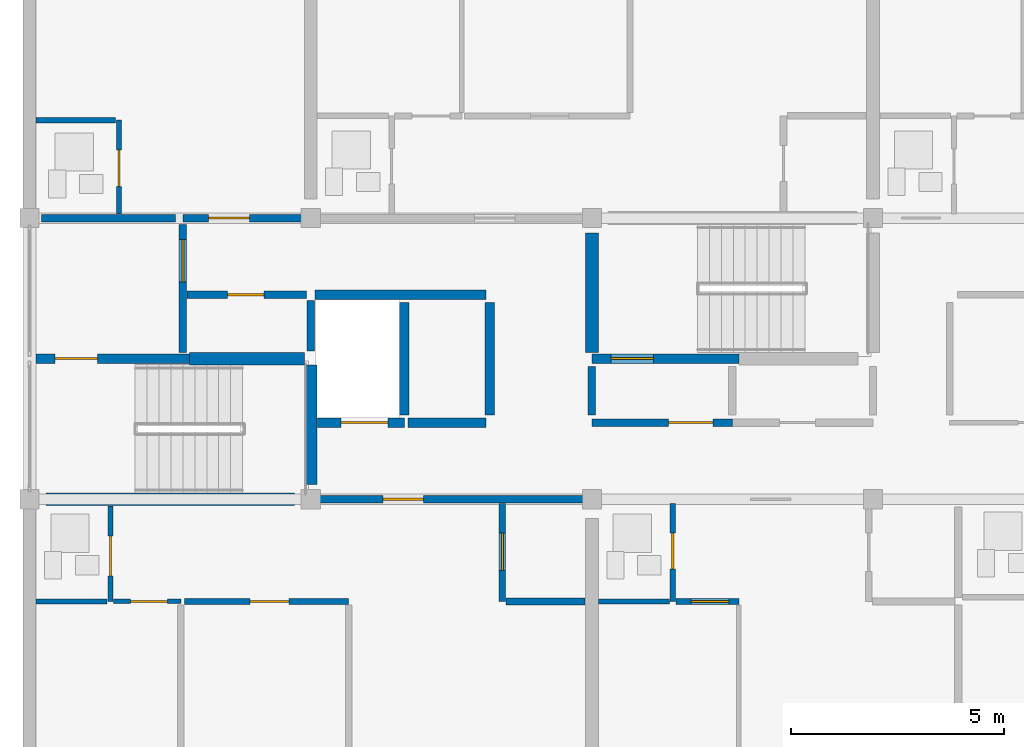
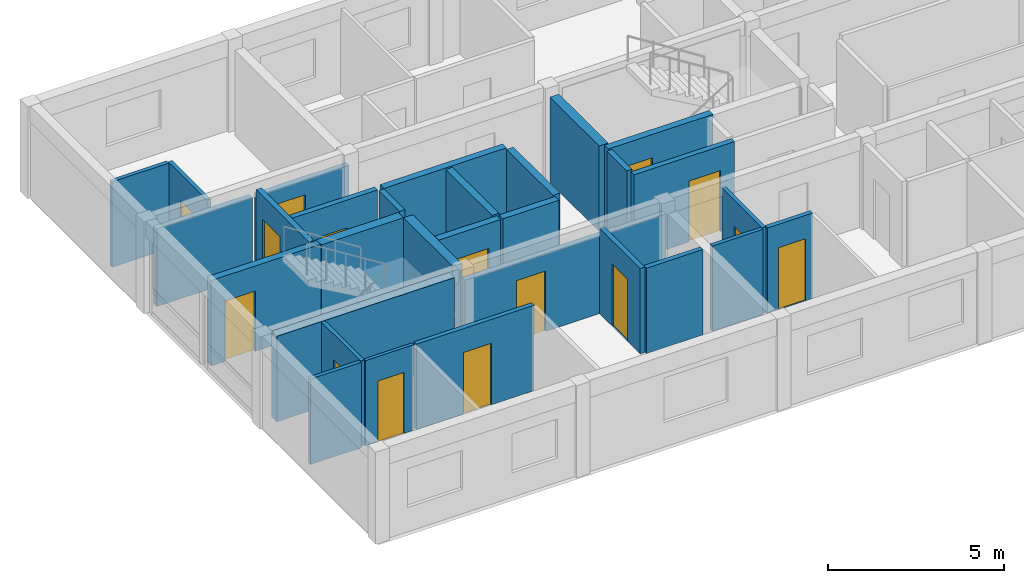
# One storey, part 20 of 34: 30 walls, 15 doors, 15 openings.
"""IFC4 building model written with IfcOpenShell, lengths in metres."""

from ifc_helpers import new_model, si_unit, direction, frame, frame_2d, origin, place, context, subcontext, project, spatial, rectangle, extrude, material, layer, layer_set, type_object, element, fill, save


model = new_model("IFC4")

# Units and contexts
model_context = context("Model", 3, precision=1e-05, world=origin(), true_north=direction((0.0, 1.0)))
body_context = subcontext(model_context, "Body", "Model", "MODEL_VIEW")
ifc_project = project(units=[si_unit("LENGTHUNIT", "METRE"), si_unit("AREAUNIT", "SQUARE_METRE"), si_unit("VOLUMEUNIT", "CUBIC_METRE"), si_unit("PLANEANGLEUNIT", "RADIAN"), si_unit("MASSUNIT", "GRAM", prefix="KILO")], contexts=[model_context])

# Site, building, storey
site_placement = place(None, origin())
site = spatial("IfcSite", under=ifc_project, at=site_placement, CompositionType="ELEMENT")
building_placement = place(site_placement, origin())
building = spatial("IfcBuilding", under=site, at=building_placement, Name="Kernevlak Ridge Housing Community", CompositionType="ELEMENT")
storey_placement = place(building_placement, frame((0.0, 0.0, 34.0)))
storey = spatial("IfcBuildingStorey", under=building, at=storey_placement, Name="L10", CompositionType="ELEMENT", Elevation=34.0)

# Wall, opening, door
ifc_material_1 = material(Name="Concrete C35/45", Category="concrete")
ifc_layer_1 = layer(ifc_material_1, 0.22509765625, Name="Concrete C35/45")
ifc_layer_set_1 = layer_set([ifc_layer_1], Name="Concrete C35/45")
wall_type_1 = type_object("IfcWallType", Name="PW-01", PredefinedType="STANDARD", material=ifc_layer_set_1)
wall_1_placement = place(storey_placement, frame((15.75, 85.89990234375, 0.0), z_axis=(0.0, 0.0, 1.0), x_axis=(1.0, 0.0, 0.0)))
wall_1 = element("IfcWall", 1, at=wall_1_placement, inside=storey, type_object=wall_type_1, Name="Interior wall PW-01 WAL-INT-L10-0630", PredefinedType="STANDARD", context=body_context, shape_type="SweptSolid", body=[
    extrude(rectangle(XDim=3.60009765625, YDim=0.22509765625, at=frame_2d((1.800048828125, 0.0))), origin(), (0.0, 0.0, 1.0), 2.969970703125),
])
opening_1_placement = place(wall_1_placement, frame((0.449951171875, 0.0, 0.0)))
opening_1 = element("IfcOpeningElement", 2, at=opening_1_placement, cuts=wall_1, Name="Opening D319", PredefinedType="OPENING", context=body_context, shape_type="SweptSolid", body=[
    extrude(rectangle(XDim=1.0, YDim=2.10009765625, at=frame_2d((0.5, 1.050048828125))), frame((0.0, 0.12255859375, 0.0), z_axis=(0.0, -1.0, 0.0), x_axis=(1.0, 0.0, 0.0)), (0.0, 0.0, 1.0), 0.2451171875),
])
ifc_material_2 = material(Name="Fire-rated sheet steel leaf", Category="steel")
door_type_1 = type_object("IfcDoorType", Name="DT-05", OperationType="NOTDEFINED", PredefinedType="DOOR", material=ifc_material_2)
door_1_placement = place(opening_1_placement, origin())
door_1 = element("IfcDoor", 3, at=door_1_placement, inside=storey, type_object=door_type_1, Name="Block A Stair 1 fire door D319", OperationType="SINGLE_SWING_LEFT", OverallHeight=2.10009765625, OverallWidth=1.0, PredefinedType="DOOR", context=body_context, shape_type="SweptSolid", body=[
    extrude(rectangle(XDim=1.0, YDim=2.10009765625, at=frame_2d((0.5, 1.050048828125))), frame((0.0, 0.02490234375, 0.0), z_axis=(0.0, -1.0, 0.0), x_axis=(1.0, 0.0, 0.0)), (0.0, 0.0, 1.0), 0.050048828125),
])
fill(opening_1, door_1)

wall_2_placement = place(storey_placement, frame((22.360107421875, 84.39990234375, 0.0), z_axis=(0.0, 0.0, 1.0), x_axis=(1.0, 0.0, 0.0)))
wall_2 = element("IfcWall", 4, at=wall_2_placement, inside=storey, type_object=wall_type_1, Name="Interior wall PW-01 WAL-INT-L10-0634", PredefinedType="STANDARD", context=body_context, shape_type="SweptSolid", body=[
    extrude(rectangle(XDim=2.039794921875, YDim=0.22509765625, at=frame_2d((1.02001953125, 0.0))), origin(), (0.0, 0.0, 1.0), 2.969970703125),
])
opening_2_placement = place(wall_2_placement, frame((0.550048828125, 0.0, 0.0)))
opening_2 = element("IfcOpeningElement", 5, at=opening_2_placement, cuts=wall_2, Name="Opening LD21", PredefinedType="OPENING", context=body_context, shape_type="SweptSolid", body=[
    extrude(rectangle(XDim=1.10009765625, YDim=2.10009765625, at=frame_2d((0.550048828125, 1.050048828125))), frame((0.0, 0.12255859375, 0.0), z_axis=(0.0, -1.0, 0.0), x_axis=(1.0, 0.0, 0.0)), (0.0, 0.0, 1.0), 0.2451171875),
])
ifc_material_3 = material(Name="Stainless steel EN 1.4401", Category="steel")
door_type_2 = type_object("IfcDoorType", Name="DT-LD1", OperationType="DOUBLE_DOOR_SLIDING", PredefinedType="DOOR", material=ifc_material_3)
door_2_placement = place(opening_2_placement, origin())
door_2 = element("IfcDoor", 6, at=door_2_placement, inside=storey, type_object=door_type_2, Name="Lift LF-A1 landing door LD21", OperationType="DOUBLE_DOOR_SLIDING", OverallHeight=2.10009765625, OverallWidth=1.10009765625, PredefinedType="DOOR", context=body_context, shape_type="SweptSolid", body=[
    extrude(rectangle(XDim=1.10009765625, YDim=2.10009765625, at=frame_2d((0.550048828125, 1.050048828125))), frame((0.0, 0.02490234375, 0.0), z_axis=(0.0, -1.0, 0.0), x_axis=(1.0, 0.0, 0.0)), (0.0, 0.0, 1.0), 0.050048828125),
])
fill(opening_2, door_2)

# Walls
wall_3_placement = place(storey_placement, frame((24.47998046875, 84.39990234375, 0.0), z_axis=(0.0, 0.0, 1.0), x_axis=(1.0, 0.0, 0.0)))
element("IfcWall", 7, at=wall_3_placement, inside=storey, type_object=wall_type_1, Name="Interior wall PW-01 WAL-INT-L10-0635", PredefinedType="STANDARD", context=body_context, shape_type="SweptSolid", body=[
    extrude(rectangle(XDim=1.840087890625, YDim=0.22509765625, at=frame_2d((0.919921875, 0.0))), origin(), (0.0, 0.0, 1.0), 2.969970703125),
])
wall_4_placement = place(storey_placement, frame((22.297607421875, 87.39990234375, 0.0), z_axis=(0.0, 0.0, 1.0), x_axis=(1.0, 0.0, 0.0)))
element("IfcWall", 8, at=wall_4_placement, inside=storey, type_object=wall_type_1, Name="Interior wall PW-01 WAL-INT-L10-0636", PredefinedType="STANDARD", context=body_context, shape_type="SweptSolid", body=[
    extrude(rectangle(XDim=4.0224609375, YDim=0.22509765625, at=frame_2d((2.01123046875, 0.0))), origin(), (0.0, 0.0, 1.0), 2.969970703125),
])
for number, where, z_axis, x_axis, name in (
    (9, (24.39990234375, 84.580078125, 0.0), (0.0, 0.0, 1.0), (0.0, 1.0, 0.0), "Interior wall PW-01 WAL-INT-L10-0638"),
    (10, (26.39990234375, 84.580078125, 0.0), (0.0, 0.0, 1.0), (0.0, 1.0, 0.0), "Interior wall PW-01 WAL-INT-L10-0639"),
):
    element("IfcWall", number, at=place(storey_placement, frame(where, z_axis=z_axis, x_axis=x_axis)), inside=storey, type_object=wall_type_1, Name=name, PredefinedType="STANDARD", context=body_context, shape_type="SweptSolid", body=[
        extrude(rectangle(XDim=2.639892578125, YDim=0.22509765625, at=frame_2d((1.31982421875, 0.0))), origin(), (0.0, 0.0, 1.0), 2.969970703125),
    ])

# Wall, opening, door
wall_5_placement = place(storey_placement, frame((28.800048828125, 85.89990234375, 0.0), z_axis=(0.0, 0.0, 1.0), x_axis=(1.0, 0.0, 0.0)))
wall_5 = element("IfcWall", 11, at=wall_5_placement, inside=storey, type_object=wall_type_1, Name="Interior wall PW-01 WAL-INT-L10-0640", PredefinedType="STANDARD", context=body_context, shape_type="SweptSolid", body=[
    extrude(rectangle(XDim=3.449951171875, YDim=0.22509765625, at=frame_2d((1.72509765625, 0.0))), origin(), (0.0, 0.0, 1.0), 2.969970703125),
])
opening_3_placement = place(wall_5_placement, frame((0.449951171875, 0.0, 0.0)))
opening_3 = element("IfcOpeningElement", 12, at=opening_3_placement, cuts=wall_5, Name="Opening D322", PredefinedType="OPENING", context=body_context, shape_type="SweptSolid", body=[
    extrude(rectangle(XDim=1.0, YDim=2.159912109375, at=frame_2d((0.5, 1.080078125))), frame((0.0, 0.12255859375, 0.0), z_axis=(0.0, -1.0, 0.0), x_axis=(1.0, 0.0, 0.0)), (0.0, 0.0, 1.0), 0.2451171875),
])
door_type_3 = type_object("IfcDoorType", Name="DT-15", OperationType="NOTDEFINED", PredefinedType="DOOR", material=ifc_material_2)
door_3_placement = place(opening_3_placement, origin())
door_3 = element("IfcDoor", 13, at=door_3_placement, inside=storey, type_object=door_type_3, Name="Block A Stair 2 fire door D322", OperationType="SINGLE_SWING_RIGHT", OverallHeight=2.159912109375, OverallWidth=1.0, PredefinedType="DOOR", context=body_context, shape_type="SweptSolid", body=[
    extrude(rectangle(XDim=1.0, YDim=2.159912109375, at=frame_2d((0.5, 1.080078125))), frame((0.0, 0.02490234375, 0.0), z_axis=(0.0, -1.0, 0.0), x_axis=(1.0, 0.0, 0.0)), (0.0, 0.0, 1.0), 0.050048828125),
])
fill(opening_3, door_3)

ifc_material_4 = material(Name="Concrete block masonry M10", Category="masonry")
ifc_layer_2 = layer(ifc_material_4, 0.175048828125, Name="Concrete block masonry M10")
ifc_layer_set_2 = layer_set([ifc_layer_2], Name="Concrete block masonry M10")
wall_type_2 = type_object("IfcWallType", Name="PW-02", PredefinedType="PARTITIONING", material=ifc_layer_set_2)
wall_6_placement = place(storey_placement, frame((19.199951171875, 86.050048828125, 0.0), z_axis=(0.0, 0.0, 1.0), x_axis=(0.0, 1.0, 0.0)))
wall_6 = element("IfcWall", 14, at=wall_6_placement, inside=storey, type_object=wall_type_2, Name="Interior wall PW-02 WAL-INT-L10-0631", PredefinedType="PARTITIONING", context=body_context, shape_type="SweptSolid", body=[
    extrude(rectangle(XDim=3.0, YDim=0.175048828125, at=frame_2d((1.5, 0.0))), origin(), (0.0, 0.0, 1.0), 2.969970703125),
])
opening_4_placement = place(wall_6_placement, frame((1.64990234375, 0.0, 0.0)))
opening_4 = element("IfcOpeningElement", 15, at=opening_4_placement, cuts=wall_6, Name="Opening D320", PredefinedType="OPENING", context=body_context, shape_type="SweptSolid", body=[
    extrude(rectangle(XDim=1.0, YDim=2.159912109375, at=frame_2d((0.5, 1.080078125))), frame((0.0, 0.097412109375, 0.0), z_axis=(0.0, -1.0, 0.0), x_axis=(1.0, 0.0, 0.0)), (0.0, 0.0, 1.0), 0.195068359375),
])
door_4_placement = place(opening_4_placement, origin())
door_4 = element("IfcDoor", 16, at=door_4_placement, inside=storey, type_object=door_type_3, Name="Block A Firefighting lobby 1 door D320", OperationType="SINGLE_SWING_RIGHT", OverallHeight=2.159912109375, OverallWidth=1.0, PredefinedType="DOOR", context=body_context, shape_type="SweptSolid", body=[
    extrude(rectangle(XDim=1.0, YDim=2.159912109375, at=frame_2d((0.5, 1.080078125))), frame((0.0, 0.02490234375, 0.0), z_axis=(0.0, -1.0, 0.0), x_axis=(1.0, 0.0, 0.0)), (0.0, 0.0, 1.0), 0.050048828125),
])
fill(opening_4, door_4)

wall_7_placement = place(storey_placement, frame((19.300048828125, 87.39990234375, 0.0), z_axis=(0.0, 0.0, 1.0), x_axis=(1.0, 0.0, 0.0)))
wall_7 = element("IfcWall", 17, at=wall_7_placement, inside=storey, type_object=wall_type_2, Name="Interior wall PW-02 WAL-INT-L10-0632", PredefinedType="PARTITIONING", context=body_context, shape_type="SweptSolid", body=[
    extrude(rectangle(XDim=2.800048828125, YDim=0.175048828125, at=frame_2d((1.39990234375, 0.0))), origin(), (0.0, 0.0, 1.0), 2.969970703125),
])
opening_5_placement = place(wall_7_placement, frame((0.949951171875, 0.0, 0.0)))
opening_5 = element("IfcOpeningElement", 18, at=opening_5_placement, cuts=wall_7, Name="Opening D321", PredefinedType="OPENING", context=body_context, shape_type="SweptSolid", body=[
    extrude(rectangle(XDim=0.85009765625, YDim=2.0, at=frame_2d((0.425048828125, 1.0))), frame((0.0, 0.097412109375, 0.0), z_axis=(0.0, -1.0, 0.0), x_axis=(1.0, 0.0, 0.0)), (0.0, 0.0, 1.0), 0.195068359375),
])
door_type_4 = type_object("IfcDoorType", Name="DT-07", OperationType="NOTDEFINED", PredefinedType="DOOR", material=ifc_material_2)
door_5_placement = place(opening_5_placement, origin())
door_5 = element("IfcDoor", 19, at=door_5_placement, inside=storey, type_object=door_type_4, Name="Block A Riser shaft door D321", OperationType="SINGLE_SWING_LEFT", OverallHeight=2.0, OverallWidth=0.85009765625, PredefinedType="DOOR", context=body_context, shape_type="SweptSolid", body=[
    extrude(rectangle(XDim=0.85009765625, YDim=2.0, at=frame_2d((0.425048828125, 1.0))), frame((0.0, 0.02490234375, 0.0), z_axis=(0.0, -1.0, 0.0), x_axis=(1.0, 0.0, 0.0)), (0.0, 0.0, 1.0), 0.050048828125),
])
fill(opening_5, door_5)

# Wall
wall_8_placement = place(storey_placement, frame((22.199951171875, 86.080078125, 0.0), z_axis=(0.0, 0.0, 1.0), x_axis=(0.0, 1.0, 0.0)))
element("IfcWall", 20, at=wall_8_placement, inside=storey, type_object=wall_type_2, Name="Interior wall PW-02 WAL-INT-L10-0633", PredefinedType="PARTITIONING", context=body_context, shape_type="SweptSolid", body=[
    extrude(rectangle(XDim=1.18994140625, YDim=0.175048828125, at=frame_2d((0.594970703125, 0.0))), origin(), (0.0, 0.0, 1.0), 2.969970703125),
])

# Wall, opening, door
wall_9_placement = place(storey_placement, frame((28.800048828125, 84.39990234375, 0.0), z_axis=(0.0, 0.0, 1.0), x_axis=(1.0, 0.0, 0.0)))
wall_9 = element("IfcWall", 21, at=wall_9_placement, inside=storey, type_object=wall_type_2, Name="Interior wall PW-02 WAL-INT-L10-0641", PredefinedType="PARTITIONING", context=body_context, shape_type="SweptSolid", body=[
    extrude(rectangle(XDim=3.300048828125, YDim=0.175048828125, at=frame_2d((1.64990234375, 0.0))), origin(), (0.0, 0.0, 1.0), 2.969970703125),
])
opening_6_placement = place(wall_9_placement, frame((1.800048828125, 0.0, 0.0)))
opening_6 = element("IfcOpeningElement", 22, at=opening_6_placement, cuts=wall_9, Name="Opening D323", PredefinedType="OPENING", context=body_context, shape_type="SweptSolid", body=[
    extrude(rectangle(XDim=1.0400390625, YDim=2.1201171875, at=frame_2d((0.52001953125, 1.06005859375))), frame((0.0, 0.097412109375, 0.0), z_axis=(0.0, -1.0, 0.0), x_axis=(1.0, 0.0, 0.0)), (0.0, 0.0, 1.0), 0.195068359375),
])
door_type_5 = type_object("IfcDoorType", Name="DT-16", OperationType="NOTDEFINED", PredefinedType="DOOR", material=ifc_material_2)
door_6_placement = place(opening_6_placement, origin())
door_6 = element("IfcDoor", 23, at=door_6_placement, inside=storey, type_object=door_type_5, Name="Block A Firefighting lobby 2 door D323", OperationType="SINGLE_SWING_LEFT", OverallHeight=2.1201171875, OverallWidth=1.0400390625, PredefinedType="DOOR", context=body_context, shape_type="SweptSolid", body=[
    extrude(rectangle(XDim=1.0400390625, YDim=2.1201171875, at=frame_2d((0.52001953125, 1.06005859375))), frame((0.0, 0.02490234375, 0.0), z_axis=(0.0, -1.0, 0.0), x_axis=(1.0, 0.0, 0.0)), (0.0, 0.0, 1.0), 0.050048828125),
])
fill(opening_6, door_6)

# Wall
wall_10_placement = place(storey_placement, frame((28.800048828125, 84.580078125, 0.0), z_axis=(0.0, 0.0, 1.0), x_axis=(0.0, 1.0, 0.0)))
element("IfcWall", 24, at=wall_10_placement, inside=storey, type_object=wall_type_2, Name="Interior wall PW-02 WAL-INT-L10-0643", PredefinedType="PARTITIONING", context=body_context, shape_type="SweptSolid", body=[
    extrude(rectangle(XDim=1.139892578125, YDim=0.175048828125, at=frame_2d((0.56982421875, 0.0))), origin(), (0.0, 0.0, 1.0), 2.969970703125),
])

# Wall, opening, door
wall_11_placement = place(storey_placement, frame((22.199951171875, 82.60009765625, 0.0), z_axis=(0.0, 0.0, 1.0), x_axis=(1.0, 0.0, 0.0)))
wall_11 = element("IfcWall", 25, at=wall_11_placement, inside=storey, type_object=wall_type_2, Name="Interior wall PW-02 WAL-INT-L10-0651", PredefinedType="PARTITIONING", context=body_context, shape_type="SweptSolid", body=[
    extrude(rectangle(XDim=6.60009765625, YDim=0.175048828125, at=frame_2d((3.300048828125, 0.0))), origin(), (0.0, 0.0, 1.0), 2.699951171875),
])
opening_7_placement = place(wall_11_placement, frame((1.699951171875, 0.0, 0.0)))
opening_7 = element("IfcOpeningElement", 26, at=opening_7_placement, cuts=wall_11, Name="Opening D327", PredefinedType="OPENING", context=body_context, shape_type="SweptSolid", body=[
    extrude(rectangle(XDim=0.949951171875, YDim=2.10009765625, at=frame_2d((0.47509765625, 1.050048828125))), frame((0.0, 0.097412109375, 0.0), z_axis=(0.0, -1.0, 0.0), x_axis=(1.0, 0.0, 0.0)), (0.0, 0.0, 1.0), 0.195068359375),
])
ifc_material_5 = material(Name="Hardwood timber solid-core fire leaf", Category="wood")
door_type_6 = type_object("IfcDoorType", Name="DT-01", OperationType="NOTDEFINED", PredefinedType="DOOR", material=ifc_material_5)
door_7_placement = place(opening_7_placement, origin())
door_7 = element("IfcDoor", 27, at=door_7_placement, inside=storey, type_object=door_type_6, Name="Flat A1011 entrance fire door D327", OperationType="SINGLE_SWING_LEFT", OverallHeight=2.10009765625, OverallWidth=0.949951171875, PredefinedType="DOOR", context=body_context, shape_type="SweptSolid", body=[
    extrude(rectangle(XDim=0.949951171875, YDim=2.10009765625, at=frame_2d((0.47509765625, 1.050048828125))), frame((0.0, 0.02490234375, 0.0), z_axis=(0.0, -1.0, 0.0), x_axis=(1.0, 0.0, 0.0)), (0.0, 0.0, 1.0), 0.050048828125),
])
fill(opening_7, door_7)

# Wall
wall_12_placement = place(storey_placement, frame((15.8798828125, 89.199951171875, 0.0), z_axis=(0.0, 0.0, 1.0), x_axis=(1.0, 0.0, 0.0)))
element("IfcWall", 28, at=wall_12_placement, inside=storey, type_object=wall_type_2, Name="Interior wall PW-02 WAL-INT-L10-0671", PredefinedType="PARTITIONING", context=body_context, shape_type="SweptSolid", body=[
    extrude(rectangle(XDim=3.14013671875, YDim=0.175048828125, at=frame_2d((1.570068359375, 0.0))), origin(), (0.0, 0.0, 1.0), 2.699951171875),
])

# Wall, opening, door
wall_13_placement = place(storey_placement, frame((19.199951171875, 89.199951171875, 0.0), z_axis=(0.0, 0.0, 1.0), x_axis=(1.0, 0.0, 0.0)))
wall_13 = element("IfcWall", 29, at=wall_13_placement, inside=storey, type_object=wall_type_2, Name="Interior wall PW-02 WAL-INT-L10-0672", PredefinedType="PARTITIONING", context=body_context, shape_type="SweptSolid", body=[
    extrude(rectangle(XDim=3.0, YDim=0.175048828125, at=frame_2d((1.5, 0.0))), origin(), (0.0, 0.0, 1.0), 2.699951171875),
])
opening_8_placement = place(wall_13_placement, frame((0.60009765625, 0.0, 0.0)))
opening_8 = element("IfcOpeningElement", 30, at=opening_8_placement, cuts=wall_13, Name="Opening D338", PredefinedType="OPENING", context=body_context, shape_type="SweptSolid", body=[
    extrude(rectangle(XDim=0.9599609375, YDim=2.179931640625, at=frame_2d((0.47998046875, 1.08984375))), frame((0.0, 0.097412109375, 0.0), z_axis=(0.0, -1.0, 0.0), x_axis=(1.0, 0.0, 0.0)), (0.0, 0.0, 1.0), 0.195068359375),
])
door_type_7 = type_object("IfcDoorType", Name="DT-29", OperationType="NOTDEFINED", PredefinedType="DOOR", material=ifc_material_5)
door_8_placement = place(opening_8_placement, origin())
door_8 = element("IfcDoor", 31, at=door_8_placement, inside=storey, type_object=door_type_7, Name="Flat A1021 entrance fire door D338", OperationType="SINGLE_SWING_RIGHT", OverallHeight=2.179931640625, OverallWidth=0.9599609375, PredefinedType="DOOR", context=body_context, shape_type="SweptSolid", body=[
    extrude(rectangle(XDim=0.9599609375, YDim=2.179931640625, at=frame_2d((0.47998046875, 1.08984375))), frame((0.0, 0.02490234375, 0.0), z_axis=(0.0, -1.0, 0.0), x_axis=(1.0, 0.0, 0.0)), (0.0, 0.0, 1.0), 0.050048828125),
])
fill(opening_8, door_8)

ifc_layer_3 = layer(ifc_material_4, 0.14501953125, Name="Concrete block masonry M10")
ifc_layer_set_3 = layer_set([ifc_layer_3], Name="Concrete block masonry M10")
wall_type_3 = type_object("IfcWallType", Name="PW-03", PredefinedType="PARTITIONING", material=ifc_layer_set_3)
wall_14_placement = place(storey_placement, frame((19.232421875, 80.199951171875, 0.0), z_axis=(0.0, 0.0, 1.0), x_axis=(1.0, 0.0, 0.0)))
wall_14 = element("IfcWall", 32, at=wall_14_placement, inside=storey, type_object=wall_type_3, Name="Interior wall PW-03 WAL-INT-L10-0658", PredefinedType="PARTITIONING", context=body_context, shape_type="SweptSolid", body=[
    extrude(rectangle(XDim=3.859619140625, YDim=0.14501953125, at=frame_2d((1.9296875, 0.0))), origin(), (0.0, 0.0, 1.0), 2.969970703125),
])
opening_9_placement = place(wall_14_placement, frame((1.5458984375, 0.0, 0.0)))
opening_9 = element("IfcOpeningElement", 33, at=opening_9_placement, cuts=wall_14, Name="Opening D331", PredefinedType="OPENING", context=body_context, shape_type="SweptSolid", body=[
    extrude(rectangle(XDim=0.909912109375, YDim=2.139892578125, at=frame_2d((0.455078125, 1.06982421875))), frame((0.0, 0.08251953125, 0.0), z_axis=(0.0, -1.0, 0.0), x_axis=(1.0, 0.0, 0.0)), (0.0, 0.0, 1.0), 0.1650390625),
])
ifc_material_6 = material(Name="Hardwood timber leaf", Category="wood")
door_type_8 = type_object("IfcDoorType", Name="DT-31", OperationType="NOTDEFINED", PredefinedType="DOOR", material=ifc_material_6)
door_9_placement = place(opening_9_placement, origin())
door_9 = element("IfcDoor", 34, at=door_9_placement, inside=storey, type_object=door_type_8, Name="Flat A1011 bedroom door D331", OperationType="SINGLE_SWING_LEFT", OverallHeight=2.139892578125, OverallWidth=0.909912109375, PredefinedType="DOOR", context=body_context, shape_type="SweptSolid", body=[
    extrude(rectangle(XDim=0.909912109375, YDim=2.139892578125, at=frame_2d((0.455078125, 1.06982421875))), frame((0.0, 0.02490234375, 0.0), z_axis=(0.0, -1.0, 0.0), x_axis=(1.0, 0.0, 0.0)), (0.0, 0.0, 1.0), 0.050048828125),
])
fill(opening_9, door_9)

wall_15_placement = place(storey_placement, frame((30.7724609375, 80.199951171875, 0.0), z_axis=(0.0, 0.0, 1.0), x_axis=(1.0, 0.0, 0.0)))
wall_15 = element("IfcWall", 35, at=wall_15_placement, inside=storey, type_object=wall_type_3, Name="Interior wall PW-03 WAL-INT-L10-0665", PredefinedType="PARTITIONING", context=body_context, shape_type="SweptSolid", body=[
    extrude(rectangle(XDim=1.4775390625, YDim=0.14501953125, at=frame_2d((0.73876953125, 0.0))), origin(), (0.0, 0.0, 1.0), 2.969970703125),
])
opening_10_placement = place(wall_15_placement, frame((0.35009765625, 0.0, 0.0)))
opening_10 = element("IfcOpeningElement", 36, at=opening_10_placement, cuts=wall_15, Name="Opening D335", PredefinedType="OPENING", context=body_context, shape_type="SweptSolid", body=[
    extrude(rectangle(XDim=0.89990234375, YDim=2.159912109375, at=frame_2d((0.449951171875, 1.080078125))), frame((0.0, 0.08251953125, 0.0), z_axis=(0.0, -1.0, 0.0), x_axis=(1.0, 0.0, 0.0)), (0.0, 0.0, 1.0), 0.1650390625),
])
door_type_9 = type_object("IfcDoorType", Name="DT-22", OperationType="NOTDEFINED", PredefinedType="DOOR", material=ifc_material_6)
door_10_placement = place(opening_10_placement, origin())
door_10 = element("IfcDoor", 37, at=door_10_placement, inside=storey, type_object=door_type_9, Name="Flat A1012 bedroom door D335", OperationType="SINGLE_SWING_LEFT", OverallHeight=2.159912109375, OverallWidth=0.89990234375, PredefinedType="DOOR", context=body_context, shape_type="SweptSolid", body=[
    extrude(rectangle(XDim=0.89990234375, YDim=2.159912109375, at=frame_2d((0.449951171875, 1.080078125))), frame((0.0, 0.02490234375, 0.0), z_axis=(0.0, -1.0, 0.0), x_axis=(1.0, 0.0, 0.0)), (0.0, 0.0, 1.0), 0.050048828125),
])
fill(opening_10, door_10)

ifc_material_7 = material(Name="Gypsum plasterboard EN 520", Category="gypsum")
ifc_layer_4 = layer(ifc_material_7, 0.125, Name="Gypsum plasterboard EN 520")
ifc_layer_set_4 = layer_set([ifc_layer_4], Name="Gypsum plasterboard EN 520")
wall_type_4 = type_object("IfcWallType", Name="PW-04", PredefinedType="PARTITIONING", material=ifc_layer_set_4)
wall_16_placement = place(storey_placement, frame((17.5, 82.43994140625, 0.0), z_axis=(0.0, 0.0, 1.0), x_axis=(0.0, -1.0, 0.0)))
wall_16 = element("IfcWall", 38, at=wall_16_placement, inside=storey, type_object=wall_type_4, Name="Interior wall PW-04 WAL-INT-L10-0652", PredefinedType="PARTITIONING", context=body_context, shape_type="SweptSolid", body=[
    extrude(rectangle(XDim=2.239990234375, YDim=0.125, at=frame_2d((1.1201171875, 0.0))), origin(), (0.0, 0.0, 1.0), 2.969970703125),
])
opening_11_placement = place(wall_16_placement, frame((0.699951171875, 0.0, 0.0)))
opening_11 = element("IfcOpeningElement", 39, at=opening_11_placement, cuts=wall_16, Name="Opening D328", PredefinedType="OPENING", context=body_context, shape_type="SweptSolid", body=[
    extrude(rectangle(XDim=0.93994140625, YDim=2.080078125, at=frame_2d((0.469970703125, 1.0400390625))), frame((0.0, 0.072509765625, 0.0), z_axis=(0.0, -1.0, 0.0), x_axis=(1.0, 0.0, 0.0)), (0.0, 0.0, 1.0), 0.14501953125),
])
ifc_material_8 = material(Name="Hardwood timber moisture-resistant leaf", Category="wood")
door_type_10 = type_object("IfcDoorType", Name="DT-23", OperationType="NOTDEFINED", PredefinedType="DOOR", material=ifc_material_8)
door_11_placement = place(opening_11_placement, origin())
door_11 = element("IfcDoor", 40, at=door_11_placement, inside=storey, type_object=door_type_10, Name="Flat A1011 bathroom door D328", OperationType="SINGLE_SWING_RIGHT", OverallHeight=2.080078125, OverallWidth=0.93994140625, PredefinedType="DOOR", context=body_context, shape_type="SweptSolid", body=[
    extrude(rectangle(XDim=0.93994140625, YDim=2.080078125, at=frame_2d((0.469970703125, 1.0400390625))), frame((0.0, 0.02490234375, 0.0), z_axis=(0.0, -1.0, 0.0), x_axis=(1.0, 0.0, 0.0)), (0.0, 0.0, 1.0), 0.050048828125),
])
fill(opening_11, door_11)

# Wall
wall_17_placement = place(storey_placement, frame((15.75, 80.199951171875, 0.0), z_axis=(0.0, 0.0, 1.0), x_axis=(1.0, 0.0, 0.0)))
element("IfcWall", 41, at=wall_17_placement, inside=storey, type_object=wall_type_4, Name="Interior wall PW-04 WAL-INT-L10-0653", PredefinedType="PARTITIONING", context=body_context, shape_type="SweptSolid", body=[
    extrude(rectangle(XDim=1.669921875, YDim=0.125, at=frame_2d((0.8349609375, 0.0))), origin(), (0.0, 0.0, 1.0), 2.969970703125),
])

# Wall, opening, door
wall_18_placement = place(storey_placement, frame((30.699951171875, 82.50244140625, 0.0), z_axis=(0.0, 0.0, 1.0), x_axis=(0.0, -1.0, 0.0)))
wall_18 = element("IfcWall", 42, at=wall_18_placement, inside=storey, type_object=wall_type_4, Name="Interior wall PW-04 WAL-INT-L10-0661", PredefinedType="PARTITIONING", context=body_context, shape_type="SweptSolid", body=[
    extrude(rectangle(XDim=2.302490234375, YDim=0.125, at=frame_2d((1.1513671875, 0.0))), origin(), (0.0, 0.0, 1.0), 2.969970703125),
])
opening_12_placement = place(wall_18_placement, frame((0.699951171875, 0.0, 0.0)))
opening_12 = element("IfcOpeningElement", 43, at=opening_12_placement, cuts=wall_18, Name="Opening D333", PredefinedType="OPENING", context=body_context, shape_type="SweptSolid", body=[
    extrude(rectangle(XDim=0.840087890625, YDim=2.06005859375, at=frame_2d((0.419921875, 1.030029296875))), frame((0.0, 0.072509765625, 0.0), z_axis=(0.0, -1.0, 0.0), x_axis=(1.0, 0.0, 0.0)), (0.0, 0.0, 1.0), 0.14501953125),
])
door_type_11 = type_object("IfcDoorType", Name="DT-27", OperationType="NOTDEFINED", PredefinedType="DOOR", material=ifc_material_8)
door_12_placement = place(opening_12_placement, origin())
door_12 = element("IfcDoor", 44, at=door_12_placement, inside=storey, type_object=door_type_11, Name="Flat A1012 bathroom door D333", OperationType="SINGLE_SWING_LEFT", OverallHeight=2.06005859375, OverallWidth=0.840087890625, PredefinedType="DOOR", context=body_context, shape_type="SweptSolid", body=[
    extrude(rectangle(XDim=0.840087890625, YDim=2.06005859375, at=frame_2d((0.419921875, 1.030029296875))), frame((0.0, 0.02490234375, 0.0), z_axis=(0.0, -1.0, 0.0), x_axis=(1.0, 0.0, 0.0)), (0.0, 0.0, 1.0), 0.050048828125),
])
fill(opening_12, door_12)

# Wall
wall_19_placement = place(storey_placement, frame((28.9599609375, 80.199951171875, 0.0), z_axis=(0.0, 0.0, 1.0), x_axis=(1.0, 0.0, 0.0)))
element("IfcWall", 45, at=wall_19_placement, inside=storey, type_object=wall_type_4, Name="Interior wall PW-04 WAL-INT-L10-0662", PredefinedType="PARTITIONING", context=body_context, shape_type="SweptSolid", body=[
    extrude(rectangle(XDim=1.66015625, YDim=0.125, at=frame_2d((0.830078125, 0.0))), origin(), (0.0, 0.0, 1.0), 2.969970703125),
])

# Wall, opening, door
wall_20_placement = place(storey_placement, frame((17.699951171875, 89.297607421875, 0.0), z_axis=(0.0, 0.0, 1.0), x_axis=(0.0, 1.0, 0.0)))
wall_20 = element("IfcWall", 46, at=wall_20_placement, inside=storey, type_object=wall_type_4, Name="Interior wall PW-04 WAL-INT-L10-0673", PredefinedType="PARTITIONING", context=body_context, shape_type="SweptSolid", body=[
    extrude(rectangle(XDim=2.202392578125, YDim=0.125, at=frame_2d((1.10107421875, 0.0))), origin(), (0.0, 0.0, 1.0), 2.969970703125),
])
opening_13_placement = place(wall_20_placement, frame((0.64990234375, 0.0, 0.0)))
opening_13 = element("IfcOpeningElement", 47, at=opening_13_placement, cuts=wall_20, Name="Opening D339", PredefinedType="OPENING", context=body_context, shape_type="SweptSolid", body=[
    extrude(rectangle(XDim=0.85009765625, YDim=2.0400390625, at=frame_2d((0.425048828125, 1.02001953125))), frame((0.0, 0.072509765625, 0.0), z_axis=(0.0, -1.0, 0.0), x_axis=(1.0, 0.0, 0.0)), (0.0, 0.0, 1.0), 0.14501953125),
])
door_type_12 = type_object("IfcDoorType", Name="DT-04", OperationType="NOTDEFINED", PredefinedType="DOOR", material=ifc_material_8)
door_13_placement = place(opening_13_placement, origin())
door_13 = element("IfcDoor", 48, at=door_13_placement, inside=storey, type_object=door_type_12, Name="Flat A1021 bathroom door D339", OperationType="SINGLE_SWING_LEFT", OverallHeight=2.0400390625, OverallWidth=0.85009765625, PredefinedType="DOOR", context=body_context, shape_type="SweptSolid", body=[
    extrude(rectangle(XDim=0.85009765625, YDim=2.0400390625, at=frame_2d((0.425048828125, 1.02001953125))), frame((0.0, 0.02490234375, 0.0), z_axis=(0.0, -1.0, 0.0), x_axis=(1.0, 0.0, 0.0)), (0.0, 0.0, 1.0), 0.050048828125),
])
fill(opening_13, door_13)

# Wall
wall_21_placement = place(storey_placement, frame((15.75, 91.5, 0.0), z_axis=(0.0, 0.0, 1.0), x_axis=(1.0, 0.0, 0.0)))
element("IfcWall", 49, at=wall_21_placement, inside=storey, type_object=wall_type_4, Name="Interior wall PW-04 WAL-INT-L10-0674", PredefinedType="PARTITIONING", context=body_context, shape_type="SweptSolid", body=[
    extrude(rectangle(XDim=1.8701171875, YDim=0.125, at=frame_2d((0.93505859375, 0.0))), origin(), (0.0, 0.0, 1.0), 2.969970703125),
])

# Wall, opening, door
ifc_layer_5 = layer(ifc_material_7, 0.155029296875, Name="Gypsum plasterboard EN 520")
ifc_layer_set_5 = layer_set([ifc_layer_5], Name="Gypsum plasterboard EN 520")
wall_type_5 = type_object("IfcWallType", Name="PW-05", PredefinedType="PARTITIONING", material=ifc_layer_set_5)
wall_22_placement = place(storey_placement, frame((26.699951171875, 82.50244140625, 0.0), z_axis=(0.0, 0.0, 1.0), x_axis=(0.0, -1.0, 0.0)))
wall_22 = element("IfcWall", 50, at=wall_22_placement, inside=storey, type_object=wall_type_5, Name="Interior wall PW-05 WAL-INT-L10-0654", PredefinedType="PARTITIONING", context=body_context, shape_type="SweptSolid", body=[
    extrude(rectangle(XDim=2.302490234375, YDim=0.155029296875, at=frame_2d((1.1513671875, 0.0))), origin(), (0.0, 0.0, 1.0), 2.969970703125),
])
opening_14_placement = place(wall_22_placement, frame((0.699951171875, 0.0, 0.0)))
opening_14 = element("IfcOpeningElement", 51, at=opening_14_placement, cuts=wall_22, Name="Opening D329", PredefinedType="OPENING", context=body_context, shape_type="SweptSolid", body=[
    extrude(rectangle(XDim=0.8798828125, YDim=2.159912109375, at=frame_2d((0.43994140625, 1.080078125))), frame((0.0, 0.08740234375, 0.0), z_axis=(0.0, -1.0, 0.0), x_axis=(1.0, 0.0, 0.0)), (0.0, 0.0, 1.0), 0.175048828125),
])
door_type_13 = type_object("IfcDoorType", Name="DT-26", OperationType="NOTDEFINED", PredefinedType="DOOR", material=ifc_material_6)
door_14_placement = place(opening_14_placement, origin())
door_14 = element("IfcDoor", 52, at=door_14_placement, inside=storey, type_object=door_type_13, Name="Flat A1011 kitchen door D329", OperationType="SINGLE_SWING_LEFT", OverallHeight=2.159912109375, OverallWidth=0.8798828125, PredefinedType="DOOR", context=body_context, shape_type="SweptSolid", body=[
    extrude(rectangle(XDim=0.8798828125, YDim=2.159912109375, at=frame_2d((0.43994140625, 1.080078125))), frame((0.0, 0.02490234375, 0.0), z_axis=(0.0, -1.0, 0.0), x_axis=(1.0, 0.0, 0.0)), (0.0, 0.0, 1.0), 0.050048828125),
])
fill(opening_14, door_14)

# Wall
wall_23_placement = place(storey_placement, frame((26.78759765625, 80.199951171875, 0.0), z_axis=(0.0, 0.0, 1.0), x_axis=(1.0, 0.0, 0.0)))
element("IfcWall", 53, at=wall_23_placement, inside=storey, type_object=wall_type_5, Name="Interior wall PW-05 WAL-INT-L10-0655", PredefinedType="PARTITIONING", context=body_context, shape_type="SweptSolid", body=[
    extrude(rectangle(XDim=1.852294921875, YDim=0.155029296875, at=frame_2d((0.92626953125, 0.0))), origin(), (0.0, 0.0, 1.0), 2.969970703125),
])

# Wall, opening, door
ifc_layer_6 = layer(ifc_material_7, 0.10498046875, Name="Gypsum plasterboard EN 520")
ifc_layer_set_6 = layer_set([ifc_layer_6], Name="Gypsum plasterboard EN 520")
wall_type_6 = type_object("IfcWallType", Name="PW-06", PredefinedType="PARTITIONING", material=ifc_layer_set_6)
wall_24_placement = place(storey_placement, frame((17.572509765625, 80.199951171875, 0.0), z_axis=(0.0, 0.0, 1.0), x_axis=(1.0, 0.0, 0.0)))
wall_24 = element("IfcWall", 54, at=wall_24_placement, inside=storey, type_object=wall_type_6, Name="Interior wall PW-06 WAL-INT-L10-0656", PredefinedType="PARTITIONING", context=body_context, shape_type="SweptSolid", body=[
    extrude(rectangle(XDim=1.577392578125, YDim=0.10498046875, at=frame_2d((0.78857421875, 0.0))), origin(), (0.0, 0.0, 1.0), 2.969970703125),
])
opening_15_placement = place(wall_24_placement, frame((0.39990234375, 0.0, 0.0)))
opening_15 = element("IfcOpeningElement", 55, at=opening_15_placement, cuts=wall_24, Name="Opening D330", PredefinedType="OPENING", context=body_context, shape_type="SweptSolid", body=[
    extrude(rectangle(XDim=0.860107421875, YDim=2.1201171875, at=frame_2d((0.43017578125, 1.06005859375))), frame((0.0, 0.0625, 0.0), z_axis=(0.0, -1.0, 0.0), x_axis=(1.0, 0.0, 0.0)), (0.0, 0.0, 1.0), 0.125),
])
door_type_14 = type_object("IfcDoorType", Name="DT-28", OperationType="NOTDEFINED", PredefinedType="DOOR", material=ifc_material_6)
door_15_placement = place(opening_15_placement, origin())
door_15 = element("IfcDoor", 56, at=door_15_placement, inside=storey, type_object=door_type_14, Name="Flat A1011 bedroom door D330", OperationType="SINGLE_SWING_RIGHT", OverallHeight=2.1201171875, OverallWidth=0.860107421875, PredefinedType="DOOR", context=body_context, shape_type="SweptSolid", body=[
    extrude(rectangle(XDim=0.860107421875, YDim=2.1201171875, at=frame_2d((0.43017578125, 1.06005859375))), frame((0.0, 0.02490234375, 0.0), z_axis=(0.0, -1.0, 0.0), x_axis=(1.0, 0.0, 0.0)), (0.0, 0.0, 1.0), 0.050048828125),
])
fill(opening_15, door_15)

# Walls
ifc_material_9 = material(Name="Concrete C40/50", Category="concrete")
ifc_layer_7 = layer(ifc_material_9, 0.300048828125, Name="Concrete C40/50")
ifc_layer_set_7 = layer_set([ifc_layer_7], Name="Concrete C40/50")
wall_type_7 = type_object("IfcWallType", Name="SW-02", PredefinedType="SHEAR", material=ifc_layer_set_7)
wall_25_placement = place(storey_placement, frame((15.97998046875, 82.60009765625, 0.0), z_axis=(0.0, 0.0, 1.0), x_axis=(1.0, 0.0, 0.0)))
element("IfcWall", 57, at=wall_25_placement, inside=storey, type_object=wall_type_7, Name="Shear wall SW-02 Block A L10 111", PredefinedType="SHEAR", context=body_context, shape_type="SweptSolid", body=[
    extrude(rectangle(XDim=5.840087890625, YDim=0.300048828125, at=frame_2d((2.919921875, 0.0))), origin(), (0.0, 0.0, 1.0), 2.969970703125),
])
wall_26_placement = place(storey_placement, frame((19.35009765625, 85.89990234375, 0.0), z_axis=(0.0, 0.0, 1.0), x_axis=(1.0, 0.0, 0.0)))
element("IfcWall", 58, at=wall_26_placement, inside=storey, type_object=wall_type_7, Name="Shear wall SW-02 Block A L10 112", PredefinedType="SHEAR", context=body_context, shape_type="SweptSolid", body=[
    extrude(rectangle(XDim=2.699951171875, YDim=0.300048828125, at=frame_2d((1.35009765625, 0.0))), origin(), (0.0, 0.0, 1.0), 2.969970703125),
])
for number, where, z_axis, x_axis, name in (
    (59, (22.199951171875, 82.949951171875, 0.0), (0.0, 0.0, 1.0), (0.0, 1.0, 0.0), "Shear wall SW-02 Block A L10 113"),
    (60, (28.800048828125, 86.050048828125, 0.0), (0.0, 0.0, 1.0), (0.0, 1.0, 0.0), "Shear wall SW-02 Block A L10 116"),
):
    element("IfcWall", number, at=place(storey_placement, frame(where, z_axis=z_axis, x_axis=x_axis)), inside=storey, type_object=wall_type_7, Name=name, PredefinedType="SHEAR", context=body_context, shape_type="SweptSolid", body=[
        extrude(rectangle(XDim=2.800048828125, YDim=0.300048828125, at=frame_2d((1.39990234375, 0.0))), origin(), (0.0, 0.0, 1.0), 2.969970703125),
    ])

save(model, "model.ifc")
